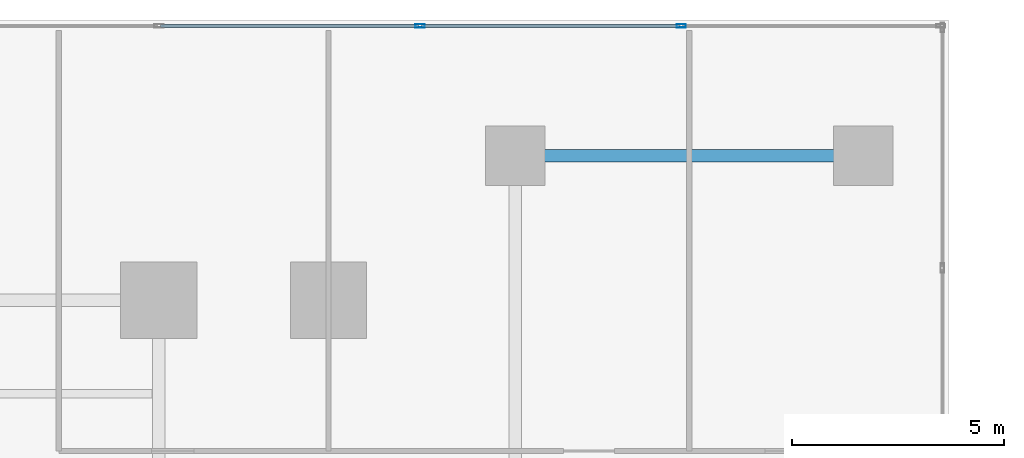
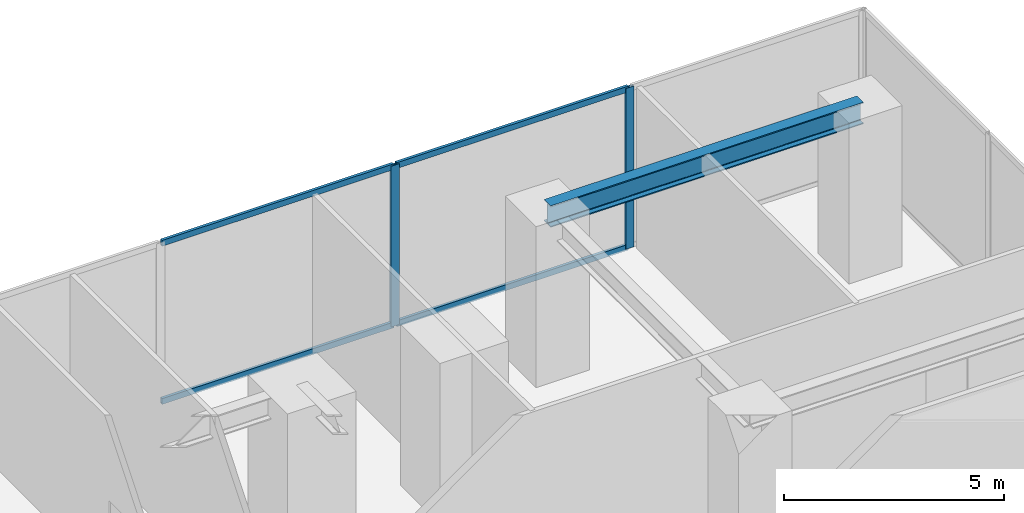
# One storey, part 4 of 16: 6 members, 1 beam, 1 element without a shape of its own.
"""IFC4 building model written with IfcOpenShell, lengths in metres."""

from ifc_helpers import new_model, si_unit, direction, frame, origin, origin_with_axes, origin_2d, place, context, subcontext, project, spatial, hollow_rectangle, i_section, extrude, source, transform, mapped, material, layer, layer_set, material_profile, profile_set, type_object, element, aggregate, save


model = new_model("IFC4")

# Units and contexts
model_context = context("Model", 3, precision=1e-05, world=origin(), true_north=direction((0.0, 1.0)))
body_context = subcontext(model_context, "Body", "Model", "MODEL_VIEW")
ifc_project = project(units=[si_unit("LENGTHUNIT", "METRE"), si_unit("AREAUNIT", "SQUARE_METRE"), si_unit("VOLUMEUNIT", "CUBIC_METRE"), si_unit("PLANEANGLEUNIT", "RADIAN"), si_unit("MASSUNIT", "GRAM", prefix="KILO")], contexts=[model_context])

# Site, building, storey
site_placement = place(None, origin())
site = spatial("IfcSite", under=ifc_project, at=site_placement, CompositionType="ELEMENT")
building_placement = place(site_placement, origin())
building = spatial("IfcBuilding", under=site, at=building_placement, Name="Kolvaren Waterfront Exchange", CompositionType="ELEMENT")
storey_placement = place(building_placement, frame((0.0, 0.0, 20.0)))
storey = spatial("IfcBuildingStorey", under=building, at=storey_placement, Name="L05", CompositionType="ELEMENT", Elevation=20.0)

# Beam
ifc_material_1 = material(Name="Steel S355", Category="steel")
ifc_material_profile_1 = material_profile(ifc_material_1, i_section(OverallWidth=0.300048828125, OverallDepth=0.60009765625, WebThickness=0.015380859375, FlangeThickness=0.030029296875, FilletRadius=0.027099609375, at=origin_2d()), Name="HEB600")
ifc_profile_set_1 = profile_set([ifc_material_profile_1], Name="Steel S355")
beam_type = type_object("IfcBeamType", Name="STR-BM-HEB600", PredefinedType="BEAM", material=ifc_profile_set_1)
beam_placement = place(storey_placement, frame((27.199951171875, 48.0, 4.159912109375), z_axis=(1.0, 0.0, 0.0), x_axis=(0.0, 1.0, 0.0)))
element("IfcBeam", 1, at=beam_placement, inside=storey, type_object=beam_type, Name="L05 podium north girder 2", PredefinedType="BEAM", context=body_context, shape_type="SweptSolid", body=[
    extrude(i_section(OverallWidth=0.300048828125, OverallDepth=0.60009765625, WebThickness=0.015380859375, FlangeThickness=0.030029296875, FilletRadius=0.027099609375, at=origin_2d()), origin(), (0.0, 0.0, 1.0), 8.199951171875),
])

# Curtain wall, members
ifc_material_2 = material(Name="Anodised bronze aluminium 6063-T6", Category="aluminium")
ifc_layer = layer(ifc_material_2, 0.219970703125, Name="Anodised bronze aluminium 6063-T6")
ifc_layer_set = layer_set([ifc_layer], Name="Anodised bronze aluminium 6063-T6")
curtain_wall_type = type_object("IfcCurtainWallType", Name="ARC-CW-SYS1", PredefinedType="USERDEFINED", material=ifc_layer_set)
curtain_wall_placement = place(storey_placement, origin())
curtain_wall = element("IfcCurtainWall", 2, at=curtain_wall_placement, inside=storey, type_object=curtain_wall_type, Name="L05 stick curtain wall CW1 (CW-L05-N2)", ObjectType="STICK CURTAIN WALL", PredefinedType="USERDEFINED")
ifc_material_3 = material(Name="Anodised aluminium 6063-T6", Category="aluminium")
ifc_material_profile_2 = material_profile(ifc_material_3, hollow_rectangle(XDim=0.080078125, YDim=0.219970703125, WallThickness=0.0048828125, at=origin_2d()), Name="ALU-MUL-220x80x5")
ifc_profile_set_2 = profile_set([ifc_material_profile_2], Name="Anodised aluminium 6063-T6")
member_type_1 = type_object("IfcMemberType", Name="ARC-CWM-220", PredefinedType="MULLION", material=ifc_profile_set_2)
shared_shape_1 = source(origin_with_axes(), body_context, "Body", "SweptSolid", [
    extrude(hollow_rectangle(XDim=0.080078125, YDim=0.219970703125, WallThickness=0.0048828125, at=origin_2d()), origin(), (0.0, 0.0, 1.0), 4.4599609375),
])
member_1_placement = place(storey_placement, frame((31.1083984375, 51.06005859375, 0.0), z_axis=(0.0, 0.0, 1.0), x_axis=(0.0, -1.0, 0.0)))
member_1 = element("IfcMember", 3, at=member_1_placement, type_object=member_type_1, Name="CW1 mullion 2", PredefinedType="MULLION", context=body_context, shape_type="MappedRepresentation", body=[
    mapped(shared_shape_1, transform((0.0, 0.0, 0.0), x_axis=(1.0, 0.0, 0.0), y_axis=(0.0, 1.0, 0.0), z_axis=(0.0, 0.0, 1.0), scale=1.0)),
])
member_2_placement = place(storey_placement, frame((24.956787109375, 51.06005859375, 0.0), z_axis=(0.0, 0.0, 1.0), x_axis=(0.0, -1.0, 0.0)))
member_2 = element("IfcMember", 4, at=member_2_placement, type_object=member_type_1, Name="CW1 mullion 3", PredefinedType="MULLION", context=body_context, shape_type="MappedRepresentation", body=[
    mapped(shared_shape_1, transform((0.0, 0.0, 0.0), x_axis=(1.0, 0.0, 0.0), y_axis=(0.0, 1.0, 0.0), z_axis=(0.0, 0.0, 1.0), scale=1.0)),
])
ifc_material_profile_3 = material_profile(ifc_material_3, hollow_rectangle(XDim=0.074951171875, YDim=0.159912109375, WallThickness=0.00439453125, at=origin_2d()), Name="ALU-TRN-160x75x4.5")
ifc_profile_set_3 = profile_set([ifc_material_profile_3], Name="Anodised aluminium 6063-T6")
member_type_2 = type_object("IfcMemberType", Name="ARC-CWT-160", PredefinedType="USERDEFINED", material=ifc_profile_set_3)
shared_shape_2 = source(origin_with_axes(), body_context, "Body", "SweptSolid", [
    extrude(hollow_rectangle(XDim=0.074951171875, YDim=0.159912109375, WallThickness=0.00439453125, at=origin_2d()), origin(), (0.0, 0.0, 1.0), 6.07177734375),
])
member_3_placement = place(storey_placement, frame((31.068359375, 51.06005859375, 0.03759765625), z_axis=(-1.0, 0.0, 0.0), x_axis=(0.0, -1.0, 0.0)))
member_3 = element("IfcMember", 5, at=member_3_placement, type_object=member_type_2, Name="CW1 transom 2.1", ObjectType="TRANSOM", PredefinedType="USERDEFINED", context=body_context, shape_type="MappedRepresentation", body=[
    mapped(shared_shape_2, transform((0.0, 0.0, 0.0), x_axis=(1.0, 0.0, 0.0), y_axis=(0.0, 1.0, 0.0), z_axis=(0.0, 0.0, 1.0), scale=1.0)),
])
member_4_placement = place(storey_placement, frame((31.068359375, 51.06005859375, 4.422607421875), z_axis=(-1.0, 0.0, 0.0), x_axis=(0.0, -1.0, 0.0)))
member_4 = element("IfcMember", 6, at=member_4_placement, type_object=member_type_2, Name="CW1 transom 2.2", ObjectType="TRANSOM", PredefinedType="USERDEFINED", context=body_context, shape_type="MappedRepresentation", body=[
    mapped(shared_shape_2, transform((0.0, 0.0, 0.0), x_axis=(1.0, 0.0, 0.0), y_axis=(0.0, 1.0, 0.0), z_axis=(0.0, 0.0, 1.0), scale=1.0)),
])
member_5_placement = place(storey_placement, frame((24.916748046875, 51.06005859375, 0.03759765625), z_axis=(-1.0, 0.0, 0.0), x_axis=(0.0, -1.0, 0.0)))
member_5 = element("IfcMember", 7, at=member_5_placement, type_object=member_type_2, Name="CW1 transom 3.1", ObjectType="TRANSOM", PredefinedType="USERDEFINED", context=body_context, shape_type="MappedRepresentation", body=[
    mapped(shared_shape_2, transform((0.0, 0.0, 0.0), x_axis=(1.0, 0.0, 0.0), y_axis=(0.0, 1.0, 0.0), z_axis=(0.0, 0.0, 1.0), scale=1.0)),
])
member_6_placement = place(storey_placement, frame((24.916748046875, 51.06005859375, 4.422607421875), z_axis=(-1.0, 0.0, 0.0), x_axis=(0.0, -1.0, 0.0)))
member_6 = element("IfcMember", 8, at=member_6_placement, type_object=member_type_2, Name="CW1 transom 3.2", ObjectType="TRANSOM", PredefinedType="USERDEFINED", context=body_context, shape_type="MappedRepresentation", body=[
    mapped(shared_shape_2, transform((0.0, 0.0, 0.0), x_axis=(1.0, 0.0, 0.0), y_axis=(0.0, 1.0, 0.0), z_axis=(0.0, 0.0, 1.0), scale=1.0)),
])
aggregate(curtain_wall, [member_1, member_2, member_3, member_4, member_5, member_6])

save(model, "model.ifc")
